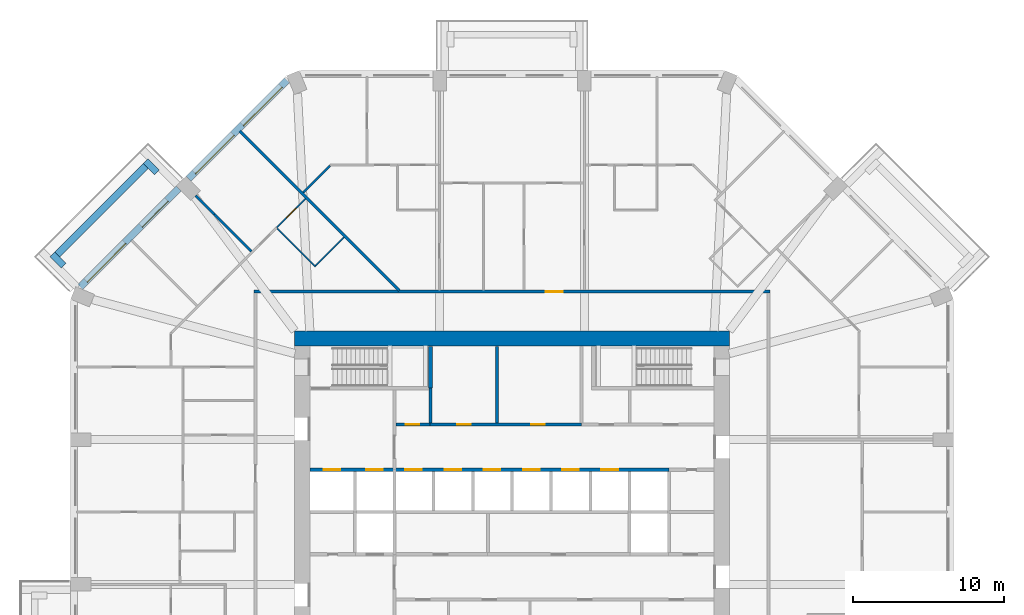
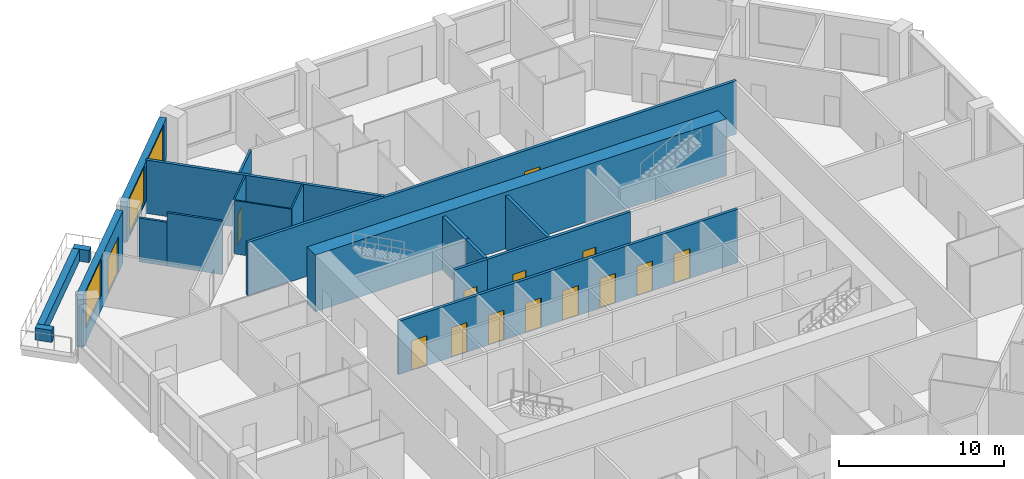
# One storey, part 8 of 13: 20 walls, 14 doors, 3 windows, 17 openings.
"""IFC4 building model written with IfcOpenShell, lengths in metres."""

from ifc_helpers import new_model, si_unit, direction, frame, frame_2d, origin, place, context, subcontext, project, spatial, rectangle, extrude, material, layer, layer_set, type_object, element, fill, save


model = new_model("IFC4")

# Units and contexts
model_context = context("Model", 3, precision=1e-05, world=origin(), true_north=direction((0.0, 1.0)))
body_context = subcontext(model_context, "Body", "Model", "MODEL_VIEW")
ifc_project = project(units=[si_unit("LENGTHUNIT", "METRE"), si_unit("AREAUNIT", "SQUARE_METRE"), si_unit("VOLUMEUNIT", "CUBIC_METRE"), si_unit("PLANEANGLEUNIT", "RADIAN"), si_unit("MASSUNIT", "GRAM", prefix="KILO")], contexts=[model_context])

# Site, building, storey
site_placement = place(None, origin())
site = spatial("IfcSite", under=ifc_project, at=site_placement, CompositionType="ELEMENT")
building_placement = place(site_placement, origin())
building = spatial("IfcBuilding", under=site, at=building_placement, Name="Msitu Wima Residences", CompositionType="ELEMENT")
storey_placement = place(building_placement, frame((0.0, 0.0, 88.5)))
storey = spatial("IfcBuildingStorey", under=building, at=storey_placement, Name="L20", CompositionType="ELEMENT", Elevation=88.5)

# Walls
ifc_material_1 = material(Name="Facing brick")
ifc_layer_1 = layer(ifc_material_1, 0.06494140625, Name="Facing brick")
ifc_material_2 = material(Name="Concrete C40/50", Category="concrete")
ifc_layer_2 = layer(ifc_material_2, 0.156005859375, Name="Concrete C40/50")
ifc_material_3 = material(Name="Waterproofing membrane")
ifc_layer_3 = layer(ifc_material_3, 0.00390625, Name="Waterproofing membrane")
ifc_material_4 = material(Name="Planting soil and planting")
ifc_layer_4 = layer(ifc_material_4, 0.22509765625, Name="Planting soil and planting")
ifc_layer_set_1 = layer_set([ifc_layer_1, ifc_layer_2, ifc_layer_3, ifc_layer_4], Name="Concrete C40/50")
wall_type_1 = type_object("IfcWallType", Name="Balcony planter PLANTER PL450", PredefinedType="USERDEFINED", material=ifc_layer_set_1)
wall_1_placement = place(storey_placement, frame((-24.269287109375, 22.92578125, 0.0), z_axis=(0.0, 0.0, 1.0), x_axis=(-0.707106781187, -0.707106781187, 0.0)))
element("IfcWall", 1, at=wall_1_placement, inside=storey, type_object=wall_type_1, Name="Balcony planter NW1 L20", ObjectType="PLANTER", PredefinedType="USERDEFINED", context=body_context, shape_type="SweptSolid", body=[
    extrude(rectangle(XDim=8.2822265625, YDim=0.449951171875, at=frame_2d((4.14111328125, 0.0))), origin(), (0.0, 0.0, 1.0), 0.89990234375),
])
for number, where, z_axis, x_axis, name in (
    (2, (-23.52685546875, 22.50146484375, 0.0), (0.0, 0.0, 1.0), (-0.706990528533, 0.707223014731, 0.0), "Balcony planter NW1 L20"),
    (3, (-29.70166015625, 16.326904296875, 0.0), (0.0, 0.0, 1.0), (-0.707106781187, 0.707106781187, 0.0), "Balcony planter NW1 L20"),
):
    element("IfcWall", number, at=place(storey_placement, frame(where, z_axis=z_axis, x_axis=x_axis)), inside=storey, type_object=wall_type_1, Name=name, ObjectType="PLANTER", PredefinedType="USERDEFINED", context=body_context, shape_type="SweptSolid", body=[
        extrude(rectangle(XDim=1.050048828125, YDim=0.449951171875, at=frame_2d((0.52490234375, 0.0))), origin(), (0.0, 0.0, 1.0), 0.89990234375),
    ])

# Wall, openings, windows
ifc_material_5 = material(Name="Brick (red buff mix)", Category="masonry")
ifc_layer_5 = layer(ifc_material_5, 0.449951171875)
ifc_layer_set_2 = layer_set([ifc_layer_5], Name="Brick (red buff mix)")
wall_type_2 = type_object("IfcWallType", Name="Brick infill wall BW450", PredefinedType="SOLIDWALL", material=ifc_layer_set_2)
wall_2_placement = place(storey_placement, frame((-14.903564453125, 28.61474609375, 0.89990234375), z_axis=(0.0, 0.0, 1.0), x_axis=(-0.707106781187, -0.707106781187, 0.0)))
wall_2 = element("IfcWall", 4, at=wall_2_placement, inside=storey, type_object=wall_type_2, Name="Brick infill wall L20 NW0", PredefinedType="SOLIDWALL", context=body_context, shape_type="SweptSolid", body=[
    extrude(rectangle(XDim=9.2451171875, YDim=0.449951171875, at=frame_2d((4.62255859375, 0.0))), origin(), (0.0, 0.0, 1.0), 3.0),
])
opening_1_placement = place(wall_2_placement, frame((0.572509765625, 0.0, 0.14990234375)))
opening_1 = element("IfcOpeningElement", 5, at=opening_1_placement, cuts=wall_2, Name="Opening W18-20.014", PredefinedType="OPENING", context=body_context, shape_type="SweptSolid", body=[
    extrude(rectangle(XDim=3.60009765625, YDim=2.699951171875, at=frame_2d((1.800048828125, 1.35009765625))), frame((0.0, 0.23486328125, 0.0), z_axis=(0.0, -1.0, 0.0), x_axis=(1.0, 0.0, 0.0)), (0.0, 0.0, 1.0), 0.469970703125),
])
opening_2_placement = place(wall_2_placement, frame((5.072509765625, 0.0, 0.14990234375)))
opening_2 = element("IfcOpeningElement", 6, at=opening_2_placement, cuts=wall_2, Name="Opening W18-20.015", PredefinedType="OPENING", context=body_context, shape_type="SweptSolid", body=[
    extrude(rectangle(XDim=3.60009765625, YDim=2.699951171875, at=frame_2d((1.800048828125, 1.35009765625))), frame((0.0, 0.23486328125, 0.0), z_axis=(0.0, -1.0, 0.0), x_axis=(1.0, 0.0, 0.0)), (0.0, 0.0, 1.0), 0.469970703125),
])
ifc_material_6 = material(Name="Anodised aluminium, bronze finish, clear low-emissivity double glazing", Category="aluminium")
window_type = type_object("IfcWindowType", Name="Window W3600x2700", PartitioningType="DOUBLE_PANEL_VERTICAL", PredefinedType="WINDOW", material=ifc_material_6)
window_1_placement = place(opening_1_placement, origin())
window_1 = element("IfcWindow", 7, at=window_1_placement, inside=storey, type_object=window_type, Name="Window L20 NW0.1", OverallHeight=2.699951171875, OverallWidth=3.60009765625, PartitioningType="SINGLE_PANEL", PredefinedType="WINDOW", context=body_context, shape_type="SweptSolid", body=[
    extrude(rectangle(XDim=3.60009765625, YDim=2.699951171875, at=frame_2d((1.800048828125, 1.35009765625))), frame((0.0, 0.135009765625, 0.0), z_axis=(0.0, -1.0, 0.0), x_axis=(1.0, 0.0, 0.0)), (0.0, 0.0, 1.0), 0.06005859375),
])
fill(opening_1, window_1)
window_2_placement = place(opening_2_placement, origin())
window_2 = element("IfcWindow", 8, at=window_2_placement, inside=storey, type_object=window_type, Name="Window L20 NW0.2", OverallHeight=2.699951171875, OverallWidth=3.60009765625, PartitioningType="SINGLE_PANEL", PredefinedType="WINDOW", context=body_context, shape_type="SweptSolid", body=[
    extrude(rectangle(XDim=3.60009765625, YDim=2.699951171875, at=frame_2d((1.800048828125, 1.35009765625))), frame((0.0, 0.135009765625, 0.0), z_axis=(0.0, -1.0, 0.0), x_axis=(1.0, 0.0, 0.0)), (0.0, 0.0, 1.0), 0.06005859375),
])
fill(opening_2, window_2)

# Wall, openings, door, window
wall_3_placement = place(storey_placement, frame((-22.077392578125, 21.44091796875, 0.0), z_axis=(0.0, 0.0, 1.0), x_axis=(-0.707106781187, -0.707106781187, 0.0)))
wall_3 = element("IfcWall", 9, at=wall_3_placement, inside=storey, type_object=wall_type_2, Name="Brick infill wall L20 NW1", PredefinedType="SOLIDWALL", context=body_context, shape_type="SweptSolid", body=[
    extrude(rectangle(XDim=9.2451171875, YDim=0.449951171875, at=frame_2d((4.62255859375, 0.0))), origin(), (0.0, 0.0, 1.0), 3.89990234375),
])
opening_3_placement = place(wall_3_placement, frame((1.111328125, 0.0, 0.0)))
opening_3 = element("IfcOpeningElement", 10, at=opening_3_placement, cuts=wall_3, Name="Opening D18-20.004", PredefinedType="OPENING", context=body_context, shape_type="SweptSolid", body=[
    extrude(rectangle(XDim=2.39990234375, YDim=2.699951171875, at=frame_2d((1.199951171875, 1.35009765625))), frame((0.0, 0.23486328125, 0.0), z_axis=(0.0, -1.0, 0.0), x_axis=(1.0, 0.0, 0.0)), (0.0, 0.0, 1.0), 0.469970703125),
])
opening_4_placement = place(wall_3_placement, frame((5.072509765625, 0.0, 1.050048828125)))
opening_4 = element("IfcOpeningElement", 11, at=opening_4_placement, cuts=wall_3, Name="Opening W18-20.016", PredefinedType="OPENING", context=body_context, shape_type="SweptSolid", body=[
    extrude(rectangle(XDim=3.60009765625, YDim=2.699951171875, at=frame_2d((1.800048828125, 1.35009765625))), frame((0.0, 0.23486328125, 0.0), z_axis=(0.0, -1.0, 0.0), x_axis=(1.0, 0.0, 0.0)), (0.0, 0.0, 1.0), 0.469970703125),
])
door_type_1 = type_object("IfcDoorType", Name="Balcony door D2400x2700", OperationType="SLIDING_TO_LEFT", PredefinedType="DOOR", material=ifc_material_6)
door_1_placement = place(opening_3_placement, origin())
door_1 = element("IfcDoor", 12, at=door_1_placement, inside=storey, type_object=door_type_1, Name="Balcony door L20 NW1", OperationType="SINGLE_SWING_LEFT", OverallHeight=2.699951171875, OverallWidth=2.39990234375, PredefinedType="DOOR", context=body_context, shape_type="SweptSolid", body=[
    extrude(rectangle(XDim=2.39990234375, YDim=2.699951171875, at=frame_2d((1.199951171875, 1.35009765625))), frame((0.0, 0.1298828125, 0.0), z_axis=(0.0, -1.0, 0.0), x_axis=(1.0, 0.0, 0.0)), (0.0, 0.0, 1.0), 0.050048828125),
])
fill(opening_3, door_1)
window_3_placement = place(opening_4_placement, origin())
window_3 = element("IfcWindow", 13, at=window_3_placement, inside=storey, type_object=window_type, Name="Window L20 NW1.2", OverallHeight=2.699951171875, OverallWidth=3.60009765625, PartitioningType="SINGLE_PANEL", PredefinedType="WINDOW", context=body_context, shape_type="SweptSolid", body=[
    extrude(rectangle(XDim=3.60009765625, YDim=2.699951171875, at=frame_2d((1.800048828125, 1.35009765625))), frame((0.0, 0.135009765625, 0.0), z_axis=(0.0, -1.0, 0.0), x_axis=(1.0, 0.0, 0.0)), (0.0, 0.0, 1.0), 0.06005859375),
])
fill(opening_4, window_3)

# Wall
ifc_material_7 = material(Name="Concrete C80/95", Category="concrete")
ifc_layer_6 = layer(ifc_material_7, 1.0)
ifc_layer_set_3 = layer_set([ifc_layer_6], Name="Concrete C80/95")
wall_type_3 = type_object("IfcWallType", Name="Core wall CW1000 C80/95", PredefinedType="SHEAR", material=ifc_layer_set_3)
wall_4_placement = place(storey_placement, frame((-14.39990234375, 11.5, 0.0), z_axis=(0.0, 0.0, 1.0), x_axis=(1.0, 0.0, 0.0)))
element("IfcWall", 14, at=wall_4_placement, inside=storey, type_object=wall_type_3, Name="Core wall", PredefinedType="SHEAR", context=body_context, shape_type="SweptSolid", body=[
    extrude(rectangle(XDim=28.7998046875, YDim=1.0, at=frame_2d((14.39990234375, 0.0))), origin(), (0.0, 0.0, 1.0), 4.199951171875),
])

# Wall, opening, door
ifc_material_8 = material(Name="Plaster")
ifc_layer_7 = layer(ifc_material_8, 0.011962890625, Name="Plaster")
ifc_material_9 = material(Name="Concrete blockwork", Category="masonry")
ifc_layer_8 = layer(ifc_material_9, 0.176025390625, Name="Concrete blockwork")
ifc_layer_9 = layer(ifc_material_8, 0.011962890625, Name="Plaster")
ifc_layer_set_4 = layer_set([ifc_layer_7, ifc_layer_8, ifc_layer_9], Name="Concrete blockwork")
wall_type_4 = type_object("IfcWallType", Name="Corridor wall FW200", PredefinedType="PARTITIONING", material=ifc_layer_set_4)
wall_5_placement = place(storey_placement, frame((-17.10009765625, 14.60009765625, 0.0), z_axis=(0.0, 0.0, 1.0), x_axis=(1.0, 0.0, 0.0)))
wall_5 = element("IfcWall", 15, at=wall_5_placement, inside=storey, type_object=wall_type_4, Name="Corridor wall", PredefinedType="PARTITIONING", context=body_context, shape_type="SweptSolid", body=[
    extrude(rectangle(XDim=34.2001953125, YDim=0.199951171875, at=frame_2d((17.10009765625, 0.0))), origin(), (0.0, 0.0, 1.0), 3.949951171875),
])
opening_5_placement = place(wall_5_placement, frame((19.35009765625, 0.0, 0.0)))
opening_5 = element("IfcOpeningElement", 16, at=opening_5_placement, cuts=wall_5, Name="Opening D18-20.008", PredefinedType="OPENING", context=body_context, shape_type="SweptSolid", body=[
    extrude(rectangle(XDim=1.10009765625, YDim=2.39990234375, at=frame_2d((0.550048828125, 1.199951171875))), frame((0.0, 0.10986328125, 0.0), z_axis=(0.0, -1.0, 0.0), x_axis=(1.0, 0.0, 0.0)), (0.0, 0.0, 1.0), 0.219970703125),
])
ifc_material_10 = material(Name="Timber flush door, fire resisting, self-closing", Category="wood")
door_type_2 = type_object("IfcDoorType", Name="Flat entrance door D01 1100x2400", OperationType="SINGLE_SWING_LEFT", PredefinedType="DOOR", material=ifc_material_10)
door_2_placement = place(opening_5_placement, origin())
door_2 = element("IfcDoor", 17, at=door_2_placement, inside=storey, type_object=door_type_2, Name="Flat entrance door", OperationType="SINGLE_SWING_RIGHT", OverallHeight=2.39990234375, OverallWidth=1.10009765625, PredefinedType="DOOR", context=body_context, shape_type="SweptSolid", body=[
    extrude(rectangle(XDim=1.10009765625, YDim=2.39990234375, at=frame_2d((0.550048828125, 1.199951171875))), frame((0.0, 0.02490234375, 0.0), z_axis=(0.0, -1.0, 0.0), x_axis=(1.0, 0.0, 0.0)), (0.0, 0.0, 1.0), 0.050048828125),
])
fill(opening_5, door_2)

wall_6_placement = place(storey_placement, frame((-7.699951171875, 5.800048828125, 0.0), z_axis=(0.0, 0.0, 1.0), x_axis=(1.0, 0.0, 0.0)))
wall_6 = element("IfcWall", 18, at=wall_6_placement, inside=storey, type_object=wall_type_4, Name="Corridor wall", PredefinedType="PARTITIONING", context=body_context, shape_type="SweptSolid", body=[
    extrude(rectangle(XDim=2.280029296875, YDim=0.199951171875, at=frame_2d((1.14013671875, 0.0))), origin(), (0.0, 0.0, 1.0), 3.949951171875),
])
opening_6_placement = place(wall_6_placement, frame((0.64990234375, 0.0, 0.0)))
opening_6 = element("IfcOpeningElement", 19, at=opening_6_placement, cuts=wall_6, Name="Opening D18-20.016", PredefinedType="OPENING", context=body_context, shape_type="SweptSolid", body=[
    extrude(rectangle(XDim=0.89990234375, YDim=2.199951171875, at=frame_2d((0.449951171875, 1.10009765625))), frame((0.0, 0.10986328125, 0.0), z_axis=(0.0, -1.0, 0.0), x_axis=(1.0, 0.0, 0.0)), (0.0, 0.0, 1.0), 0.219970703125),
])
ifc_material_11 = material(Name="Timber flush door", Category="wood")
door_type_3 = type_object("IfcDoorType", Name="Service door D05 900x2200", OperationType="SINGLE_SWING_LEFT", PredefinedType="DOOR", material=ifc_material_11)
door_3_placement = place(opening_6_placement, origin())
door_3 = element("IfcDoor", 20, at=door_3_placement, inside=storey, type_object=door_type_3, Name="Service door", OperationType="SINGLE_SWING_LEFT", OverallHeight=2.199951171875, OverallWidth=0.89990234375, PredefinedType="DOOR", context=body_context, shape_type="SweptSolid", body=[
    extrude(rectangle(XDim=0.89990234375, YDim=2.199951171875, at=frame_2d((0.449951171875, 1.10009765625))), frame((0.0, 0.02490234375, 0.0), z_axis=(0.0, -1.0, 0.0), x_axis=(1.0, 0.0, 0.0)), (0.0, 0.0, 1.0), 0.050048828125),
])
fill(opening_6, door_3)

# Walls
ifc_layer_10 = layer(ifc_material_8, 0.011962890625, Name="Plaster")
ifc_layer_11 = layer(ifc_material_9, 0.1259765625, Name="Concrete blockwork")
ifc_layer_12 = layer(ifc_material_8, 0.011962890625, Name="Plaster")
ifc_layer_set_5 = layer_set([ifc_layer_10, ifc_layer_11, ifc_layer_12], Name="Concrete blockwork")
wall_type_5 = type_object("IfcWallType", Name="Partition PW150", PredefinedType="PARTITIONING", material=ifc_layer_set_5)
wall_7_placement = place(storey_placement, frame((-20.963623046875, 20.963623046875, 0.0), z_axis=(0.0, 0.0, 1.0), x_axis=(0.707106781187, -0.707106781187, 0.0)))
element("IfcWall", 21, at=wall_7_placement, inside=storey, type_object=wall_type_5, Name="Partition", PredefinedType="PARTITIONING", context=body_context, shape_type="SweptSolid", body=[
    extrude(rectangle(XDim=1.74853515625, YDim=0.14990234375, at=frame_2d((0.874267578125, 0.0))), origin(), (0.0, 0.0, 1.0), 3.25),
])
wall_8_placement = place(storey_placement, frame((-19.727294921875, 19.727294921875, 0.0), z_axis=(0.0, 0.0, 1.0), x_axis=(0.707106781187, -0.707106781187, 0.0)))
element("IfcWall", 22, at=wall_8_placement, inside=storey, type_object=wall_type_5, Name="Partition", PredefinedType="PARTITIONING", context=body_context, shape_type="SweptSolid", body=[
    extrude(rectangle(XDim=3.4765625, YDim=0.14990234375, at=frame_2d((1.73828125, 0.0))), origin(), (0.0, 0.0, 1.0), 3.949951171875),
])
wall_9_placement = place(storey_placement, frame((-13.828125, 21.16943359375, 0.0), z_axis=(0.0, 0.0, 1.0), x_axis=(0.707106781187, 0.707106781187, 0.0)))
element("IfcWall", 23, at=wall_9_placement, inside=storey, type_object=wall_type_5, Name="Partition", PredefinedType="PARTITIONING", context=body_context, shape_type="SweptSolid", body=[
    extrude(rectangle(XDim=2.513916015625, YDim=0.14990234375, at=frame_2d((1.2568359375, 0.0))), origin(), (0.0, 0.0, 1.0), 3.949951171875),
])
ifc_layer_13 = layer(ifc_material_8, 0.011962890625, Name="Plaster")
ifc_material_12 = material(Name="Dense concrete blockwork", Category="masonry")
ifc_layer_14 = layer(ifc_material_12, 0.176025390625, Name="Dense concrete blockwork")
ifc_layer_15 = layer(ifc_material_8, 0.011962890625, Name="Plaster")
ifc_layer_set_6 = layer_set([ifc_layer_13, ifc_layer_14, ifc_layer_15], Name="Dense concrete blockwork")
wall_type_6 = type_object("IfcWallType", Name="Party wall PW200", PredefinedType="PARTITIONING", material=ifc_layer_set_6)
wall_10_placement = place(storey_placement, frame((-18.038818359375, 25.23876953125, 0.0), z_axis=(0.0, 0.0, 1.0), x_axis=(0.707106781187, -0.707106781187, 0.0)))
element("IfcWall", 24, at=wall_10_placement, inside=storey, type_object=wall_type_6, Name="Party wall", PredefinedType="PARTITIONING", context=body_context, shape_type="SweptSolid", body=[
    extrude(rectangle(XDim=14.945556640625, YDim=0.199951171875, at=frame_2d((7.47265625, 0.0))), origin(), (0.0, 0.0, 1.0), 3.949951171875),
])

# Wall, openings, doors
ifc_layer_16 = layer(ifc_material_8, 0.011962890625, Name="Plaster")
ifc_material_13 = material(Name="Reinforced concrete blockwork", Category="masonry")
ifc_layer_17 = layer(ifc_material_13, 0.176025390625, Name="Reinforced concrete blockwork")
ifc_layer_18 = layer(ifc_material_8, 0.011962890625, Name="Plaster")
ifc_layer_set_7 = layer_set([ifc_layer_16, ifc_layer_17, ifc_layer_18], Name="Reinforced concrete blockwork")
wall_type_7 = type_object("IfcWallType", Name="Plant and riser wall PL200", PredefinedType="PARTITIONING", material=ifc_layer_set_7)
wall_11_placement = place(storey_placement, frame((-5.419921875, 5.800048828125, 0.0), z_axis=(0.0, 0.0, 1.0), x_axis=(1.0, 0.0, 0.0)))
wall_11 = element("IfcWall", 25, at=wall_11_placement, inside=storey, type_object=wall_type_7, Name="Plant and riser wall", PredefinedType="PARTITIONING", context=body_context, shape_type="SweptSolid", body=[
    extrude(rectangle(XDim=10.0400390625, YDim=0.199951171875, at=frame_2d((5.02001953125, 0.0))), origin(), (0.0, 0.0, 1.0), 3.949951171875),
])
opening_7_placement = place(wall_11_placement, frame((1.800048828125, 0.0, 0.0)))
opening_7 = element("IfcOpeningElement", 26, at=opening_7_placement, cuts=wall_11, Name="Opening D18-20.017", PredefinedType="OPENING", context=body_context, shape_type="SweptSolid", body=[
    extrude(rectangle(XDim=0.89990234375, YDim=2.199951171875, at=frame_2d((0.449951171875, 1.10009765625))), frame((0.0, 0.10986328125, 0.0), z_axis=(0.0, -1.0, 0.0), x_axis=(1.0, 0.0, 0.0)), (0.0, 0.0, 1.0), 0.219970703125),
])
opening_8_placement = place(wall_11_placement, frame((6.699951171875, 0.0, 0.0)))
opening_8 = element("IfcOpeningElement", 27, at=opening_8_placement, cuts=wall_11, Name="Opening D18-20.018", PredefinedType="OPENING", context=body_context, shape_type="SweptSolid", body=[
    extrude(rectangle(XDim=0.89990234375, YDim=2.199951171875, at=frame_2d((0.449951171875, 1.10009765625))), frame((0.0, 0.10986328125, 0.0), z_axis=(0.0, -1.0, 0.0), x_axis=(1.0, 0.0, 0.0)), (0.0, 0.0, 1.0), 0.219970703125),
])
door_4_placement = place(opening_7_placement, origin())
door_4 = element("IfcDoor", 28, at=door_4_placement, inside=storey, type_object=door_type_3, Name="Service door", OperationType="SINGLE_SWING_RIGHT", OverallHeight=2.199951171875, OverallWidth=0.89990234375, PredefinedType="DOOR", context=body_context, shape_type="SweptSolid", body=[
    extrude(rectangle(XDim=0.89990234375, YDim=2.199951171875, at=frame_2d((0.449951171875, 1.10009765625))), frame((0.0, 0.02490234375, 0.0), z_axis=(0.0, -1.0, 0.0), x_axis=(1.0, 0.0, 0.0)), (0.0, 0.0, 1.0), 0.050048828125),
])
fill(opening_7, door_4)
door_5_placement = place(opening_8_placement, origin())
door_5 = element("IfcDoor", 29, at=door_5_placement, inside=storey, type_object=door_type_3, Name="Service door", OperationType="SINGLE_SWING_LEFT", OverallHeight=2.199951171875, OverallWidth=0.89990234375, PredefinedType="DOOR", context=body_context, shape_type="SweptSolid", body=[
    extrude(rectangle(XDim=0.89990234375, YDim=2.199951171875, at=frame_2d((0.449951171875, 1.10009765625))), frame((0.0, 0.02490234375, 0.0), z_axis=(0.0, -1.0, 0.0), x_axis=(1.0, 0.0, 0.0)), (0.0, 0.0, 1.0), 0.050048828125),
])
fill(opening_8, door_5)

# Walls
wall_12_placement = place(storey_placement, frame((-5.39990234375, 5.89990234375, 0.0), z_axis=(0.0, 0.0, 1.0), x_axis=(0.0, 1.0, 0.0)))
element("IfcWall", 30, at=wall_12_placement, inside=storey, type_object=wall_type_7, Name="Plant and riser wall", PredefinedType="PARTITIONING", context=body_context, shape_type="SweptSolid", body=[
    extrude(rectangle(XDim=2.300048828125, YDim=0.199951171875, at=frame_2d((1.14990234375, 0.0))), origin(), (0.0, 0.0, 1.0), 3.949951171875),
])
wall_13_placement = place(storey_placement, frame((-1.0, 5.89990234375, 0.0), z_axis=(0.0, 0.0, 1.0), x_axis=(0.0, 1.0, 0.0)))
element("IfcWall", 31, at=wall_13_placement, inside=storey, type_object=wall_type_7, Name="Plant and riser wall", PredefinedType="PARTITIONING", context=body_context, shape_type="SweptSolid", body=[
    extrude(rectangle(XDim=5.070068359375, YDim=0.199951171875, at=frame_2d((2.53515625, 0.0))), origin(), (0.0, 0.0, 1.0), 3.949951171875),
])

# Wall, openings, doors
ifc_material_14 = material(Name="Fire-rated board")
ifc_layer_19 = layer(ifc_material_14, 0.02490234375, Name="Fire-rated board")
ifc_material_15 = material(Name="Light-gauge stud framing with mineral wool")
ifc_layer_20 = layer(ifc_material_15, 0.14990234375, Name="Light-gauge stud framing with mineral wool")
ifc_layer_21 = layer(ifc_material_14, 0.02490234375, Name="Fire-rated board")
ifc_layer_set_8 = layer_set([ifc_layer_19, ifc_layer_20, ifc_layer_21], Name="Light-gauge stud framing with mineral wool")
wall_type_8 = type_object("IfcWallType", Name="Shaft wall SH200", PredefinedType="PARTITIONING", material=ifc_layer_set_8)
wall_14_placement = place(storey_placement, frame((-13.3701171875, 2.800048828125, 0.0), z_axis=(0.0, 0.0, 1.0), x_axis=(1.0, 0.0, 0.0)))
wall_14 = element("IfcWall", 32, at=wall_14_placement, inside=storey, type_object=wall_type_8, Name="Shaft wall", PredefinedType="PARTITIONING", context=body_context, shape_type="SweptSolid", body=[
    extrude(rectangle(XDim=23.77001953125, YDim=0.199951171875, at=frame_2d((11.885009765625, 0.0))), origin(), (0.0, 0.0, 1.0), 3.949951171875),
])
opening_9_placement = place(wall_14_placement, frame((0.89990234375, 0.0, 0.0)))
opening_9 = element("IfcOpeningElement", 33, at=opening_9_placement, cuts=wall_14, Name="Opening LD", PredefinedType="OPENING", context=body_context, shape_type="SweptSolid", body=[
    extrude(rectangle(XDim=1.10009765625, YDim=2.199951171875, at=frame_2d((0.550048828125, 1.10009765625))), frame((0.0, 0.10986328125, 0.0), z_axis=(0.0, -1.0, 0.0), x_axis=(1.0, 0.0, 0.0)), (0.0, 0.0, 1.0), 0.219970703125),
])
opening_10_placement = place(wall_14_placement, frame((3.699951171875, 0.0, 0.0)))
opening_10 = element("IfcOpeningElement", 34, at=opening_10_placement, cuts=wall_14, Name="Opening LD", PredefinedType="OPENING", context=body_context, shape_type="SweptSolid", body=[
    extrude(rectangle(XDim=1.10009765625, YDim=2.199951171875, at=frame_2d((0.550048828125, 1.10009765625))), frame((0.0, 0.10986328125, 0.0), z_axis=(0.0, -1.0, 0.0), x_axis=(1.0, 0.0, 0.0)), (0.0, 0.0, 1.0), 0.219970703125),
])
opening_11_placement = place(wall_14_placement, frame((6.300048828125, 0.0, 0.0)))
opening_11 = element("IfcOpeningElement", 35, at=opening_11_placement, cuts=wall_14, Name="Opening LD", PredefinedType="OPENING", context=body_context, shape_type="SweptSolid", body=[
    extrude(rectangle(XDim=1.10009765625, YDim=2.199951171875, at=frame_2d((0.550048828125, 1.10009765625))), frame((0.0, 0.10986328125, 0.0), z_axis=(0.0, -1.0, 0.0), x_axis=(1.0, 0.0, 0.0)), (0.0, 0.0, 1.0), 0.219970703125),
])
opening_12_placement = place(wall_14_placement, frame((8.89990234375, 0.0, 0.0)))
opening_12 = element("IfcOpeningElement", 36, at=opening_12_placement, cuts=wall_14, Name="Opening LD", PredefinedType="OPENING", context=body_context, shape_type="SweptSolid", body=[
    extrude(rectangle(XDim=1.10009765625, YDim=2.199951171875, at=frame_2d((0.550048828125, 1.10009765625))), frame((0.0, 0.10986328125, 0.0), z_axis=(0.0, -1.0, 0.0), x_axis=(1.0, 0.0, 0.0)), (0.0, 0.0, 1.0), 0.219970703125),
])
opening_13_placement = place(wall_14_placement, frame((11.5, 0.0, 0.0)))
opening_13 = element("IfcOpeningElement", 37, at=opening_13_placement, cuts=wall_14, Name="Opening LD", PredefinedType="OPENING", context=body_context, shape_type="SweptSolid", body=[
    extrude(rectangle(XDim=1.10009765625, YDim=2.199951171875, at=frame_2d((0.550048828125, 1.10009765625))), frame((0.0, 0.10986328125, 0.0), z_axis=(0.0, -1.0, 0.0), x_axis=(1.0, 0.0, 0.0)), (0.0, 0.0, 1.0), 0.219970703125),
])
opening_14_placement = place(wall_14_placement, frame((14.10009765625, 0.0, 0.0)))
opening_14 = element("IfcOpeningElement", 38, at=opening_14_placement, cuts=wall_14, Name="Opening LD", PredefinedType="OPENING", context=body_context, shape_type="SweptSolid", body=[
    extrude(rectangle(XDim=1.10009765625, YDim=2.199951171875, at=frame_2d((0.550048828125, 1.10009765625))), frame((0.0, 0.10986328125, 0.0), z_axis=(0.0, -1.0, 0.0), x_axis=(1.0, 0.0, 0.0)), (0.0, 0.0, 1.0), 0.219970703125),
])
opening_15_placement = place(wall_14_placement, frame((16.699951171875, 0.0, 0.0)))
opening_15 = element("IfcOpeningElement", 39, at=opening_15_placement, cuts=wall_14, Name="Opening LD", PredefinedType="OPENING", context=body_context, shape_type="SweptSolid", body=[
    extrude(rectangle(XDim=1.10009765625, YDim=2.199951171875, at=frame_2d((0.550048828125, 1.10009765625))), frame((0.0, 0.10986328125, 0.0), z_axis=(0.0, -1.0, 0.0), x_axis=(1.0, 0.0, 0.0)), (0.0, 0.0, 1.0), 0.219970703125),
])
opening_16_placement = place(wall_14_placement, frame((19.300048828125, 0.0, 0.0)))
opening_16 = element("IfcOpeningElement", 40, at=opening_16_placement, cuts=wall_14, Name="Opening LD", PredefinedType="OPENING", context=body_context, shape_type="SweptSolid", body=[
    extrude(rectangle(XDim=1.10009765625, YDim=2.199951171875, at=frame_2d((0.550048828125, 1.10009765625))), frame((0.0, 0.10986328125, 0.0), z_axis=(0.0, -1.0, 0.0), x_axis=(1.0, 0.0, 0.0)), (0.0, 0.0, 1.0), 0.219970703125),
])
ifc_material_16 = material(Name="Stainless steel centre-opening landing door, rated", Category="steel")
door_type_4 = type_object("IfcDoorType", Name="Lift landing door LD 1100x2200", OperationType="DOUBLE_DOOR_SLIDING", PredefinedType="DOOR", material=ifc_material_16)
door_6_placement = place(opening_9_placement, origin())
door_6 = element("IfcDoor", 41, at=door_6_placement, inside=storey, type_object=door_type_4, Name="Lift landing door LD1", OperationType="DOUBLE_DOOR_SLIDING", OverallHeight=2.199951171875, OverallWidth=1.10009765625, PredefinedType="DOOR", context=body_context, shape_type="SweptSolid", body=[
    extrude(rectangle(XDim=1.10009765625, YDim=2.199951171875, at=frame_2d((0.550048828125, 1.10009765625))), frame((0.0, 0.02490234375, 0.0), z_axis=(0.0, -1.0, 0.0), x_axis=(1.0, 0.0, 0.0)), (0.0, 0.0, 1.0), 0.050048828125),
])
fill(opening_9, door_6)
door_7_placement = place(opening_10_placement, origin())
door_7 = element("IfcDoor", 42, at=door_7_placement, inside=storey, type_object=door_type_4, Name="Lift landing door LD2", OperationType="DOUBLE_DOOR_SLIDING", OverallHeight=2.199951171875, OverallWidth=1.10009765625, PredefinedType="DOOR", context=body_context, shape_type="SweptSolid", body=[
    extrude(rectangle(XDim=1.10009765625, YDim=2.199951171875, at=frame_2d((0.550048828125, 1.10009765625))), frame((0.0, 0.02490234375, 0.0), z_axis=(0.0, -1.0, 0.0), x_axis=(1.0, 0.0, 0.0)), (0.0, 0.0, 1.0), 0.050048828125),
])
fill(opening_10, door_7)
door_8_placement = place(opening_11_placement, origin())
door_8 = element("IfcDoor", 43, at=door_8_placement, inside=storey, type_object=door_type_4, Name="Lift landing door LD4", OperationType="DOUBLE_DOOR_SLIDING", OverallHeight=2.199951171875, OverallWidth=1.10009765625, PredefinedType="DOOR", context=body_context, shape_type="SweptSolid", body=[
    extrude(rectangle(XDim=1.10009765625, YDim=2.199951171875, at=frame_2d((0.550048828125, 1.10009765625))), frame((0.0, 0.02490234375, 0.0), z_axis=(0.0, -1.0, 0.0), x_axis=(1.0, 0.0, 0.0)), (0.0, 0.0, 1.0), 0.050048828125),
])
fill(opening_11, door_8)
door_9_placement = place(opening_12_placement, origin())
door_9 = element("IfcDoor", 44, at=door_9_placement, inside=storey, type_object=door_type_4, Name="Lift landing door LD6", OperationType="DOUBLE_DOOR_SLIDING", OverallHeight=2.199951171875, OverallWidth=1.10009765625, PredefinedType="DOOR", context=body_context, shape_type="SweptSolid", body=[
    extrude(rectangle(XDim=1.10009765625, YDim=2.199951171875, at=frame_2d((0.550048828125, 1.10009765625))), frame((0.0, 0.02490234375, 0.0), z_axis=(0.0, -1.0, 0.0), x_axis=(1.0, 0.0, 0.0)), (0.0, 0.0, 1.0), 0.050048828125),
])
fill(opening_12, door_9)
door_10_placement = place(opening_13_placement, origin())
door_10 = element("IfcDoor", 45, at=door_10_placement, inside=storey, type_object=door_type_4, Name="Lift landing door LD8", OperationType="DOUBLE_DOOR_SLIDING", OverallHeight=2.199951171875, OverallWidth=1.10009765625, PredefinedType="DOOR", context=body_context, shape_type="SweptSolid", body=[
    extrude(rectangle(XDim=1.10009765625, YDim=2.199951171875, at=frame_2d((0.550048828125, 1.10009765625))), frame((0.0, 0.02490234375, 0.0), z_axis=(0.0, -1.0, 0.0), x_axis=(1.0, 0.0, 0.0)), (0.0, 0.0, 1.0), 0.050048828125),
])
fill(opening_13, door_10)
door_11_placement = place(opening_14_placement, origin())
door_11 = element("IfcDoor", 46, at=door_11_placement, inside=storey, type_object=door_type_4, Name="Lift landing door LD10", OperationType="DOUBLE_DOOR_SLIDING", OverallHeight=2.199951171875, OverallWidth=1.10009765625, PredefinedType="DOOR", context=body_context, shape_type="SweptSolid", body=[
    extrude(rectangle(XDim=1.10009765625, YDim=2.199951171875, at=frame_2d((0.550048828125, 1.10009765625))), frame((0.0, 0.02490234375, 0.0), z_axis=(0.0, -1.0, 0.0), x_axis=(1.0, 0.0, 0.0)), (0.0, 0.0, 1.0), 0.050048828125),
])
fill(opening_14, door_11)
door_12_placement = place(opening_15_placement, origin())
door_12 = element("IfcDoor", 47, at=door_12_placement, inside=storey, type_object=door_type_4, Name="Lift landing door LD12", OperationType="DOUBLE_DOOR_SLIDING", OverallHeight=2.199951171875, OverallWidth=1.10009765625, PredefinedType="DOOR", context=body_context, shape_type="SweptSolid", body=[
    extrude(rectangle(XDim=1.10009765625, YDim=2.199951171875, at=frame_2d((0.550048828125, 1.10009765625))), frame((0.0, 0.02490234375, 0.0), z_axis=(0.0, -1.0, 0.0), x_axis=(1.0, 0.0, 0.0)), (0.0, 0.0, 1.0), 0.050048828125),
])
fill(opening_15, door_12)
door_13_placement = place(opening_16_placement, origin())
door_13 = element("IfcDoor", 48, at=door_13_placement, inside=storey, type_object=door_type_4, Name="Lift landing door LD14", OperationType="DOUBLE_DOOR_SLIDING", OverallHeight=2.199951171875, OverallWidth=1.10009765625, PredefinedType="DOOR", context=body_context, shape_type="SweptSolid", body=[
    extrude(rectangle(XDim=1.10009765625, YDim=2.199951171875, at=frame_2d((0.550048828125, 1.10009765625))), frame((0.0, 0.02490234375, 0.0), z_axis=(0.0, -1.0, 0.0), x_axis=(1.0, 0.0, 0.0)), (0.0, 0.0, 1.0), 0.050048828125),
])
fill(opening_16, door_13)

# Wall
ifc_material_17 = material(Name="Concrete C50/60", Category="concrete")
ifc_layer_22 = layer(ifc_material_17, 0.25)
ifc_layer_set_9 = layer_set([ifc_layer_22], Name="Concrete C50/60")
wall_type_9 = type_object("IfcWallType", Name="Stair enclosure wall SW250", PredefinedType="SHEAR", material=ifc_layer_set_9)
wall_15_placement = place(storey_placement, frame((-5.39990234375, 8.199951171875, 0.0), z_axis=(0.0, 0.0, 1.0), x_axis=(0.0, 1.0, 0.0)))
element("IfcWall", 49, at=wall_15_placement, inside=storey, type_object=wall_type_9, Name="Stair enclosure wall", PredefinedType="SHEAR", context=body_context, shape_type="SweptSolid", body=[
    extrude(rectangle(XDim=2.77001953125, YDim=0.25, at=frame_2d((1.385009765625, 0.0))), origin(), (0.0, 0.0, 1.0), 3.949951171875),
])

# Wall, opening, door
ifc_material_18 = material(Name="Ceramic tiles")
ifc_layer_23 = layer(ifc_material_18, 0.008056640625, Name="Ceramic tiles")
ifc_material_19 = material(Name="Moisture-resistant board")
ifc_layer_24 = layer(ifc_material_19, 0.012451171875, Name="Moisture-resistant board")
ifc_layer_25 = layer(ifc_material_15, 0.06689453125, Name="Light-gauge stud framing with mineral wool")
ifc_layer_26 = layer(ifc_material_19, 0.012451171875, Name="Moisture-resistant board")
ifc_layer_set_10 = layer_set([ifc_layer_23, ifc_layer_24, ifc_layer_25, ifc_layer_26], Name="Light-gauge stud framing with mineral wool")
wall_type_10 = type_object("IfcWallType", Name="Wet wall PW100", PredefinedType="PARTITIONING", material=ifc_layer_set_10)
wall_16_placement = place(storey_placement, frame((-15.581787109375, 18.85009765625, 0.0), z_axis=(0.0, 0.0, 1.0), x_axis=(0.707106781187, 0.707106781187, 0.0)))
wall_16 = element("IfcWall", 50, at=wall_16_placement, inside=storey, type_object=wall_type_10, Name="Wet wall", PredefinedType="PARTITIONING", context=body_context, shape_type="SweptSolid", body=[
    extrude(rectangle(XDim=2.679931640625, YDim=0.10009765625, at=frame_2d((1.33984375, 0.0))), origin(), (0.0, 0.0, 1.0), 3.949951171875),
])
opening_17_placement = place(wall_16_placement, frame((0.89990234375, 0.0, 0.0)))
opening_17 = element("IfcOpeningElement", 51, at=opening_17_placement, cuts=wall_16, Name="Opening D18-20.052", PredefinedType="OPENING", context=body_context, shape_type="SweptSolid", body=[
    extrude(rectangle(XDim=0.89990234375, YDim=2.199951171875, at=frame_2d((0.449951171875, 1.10009765625))), frame((0.0, 0.06005859375, 0.0), z_axis=(0.0, -1.0, 0.0), x_axis=(1.0, 0.0, 0.0)), (0.0, 0.0, 1.0), 0.1201171875),
])
ifc_material_20 = material(Name="Timber flush door, moisture resistant", Category="wood")
door_type_5 = type_object("IfcDoorType", Name="Bathroom door D03 900x2200", OperationType="SINGLE_SWING_LEFT", PredefinedType="DOOR", material=ifc_material_20)
door_14_placement = place(opening_17_placement, origin())
door_14 = element("IfcDoor", 52, at=door_14_placement, inside=storey, type_object=door_type_5, Name="Bathroom door", OperationType="SINGLE_SWING_RIGHT", OverallHeight=2.199951171875, OverallWidth=0.89990234375, PredefinedType="DOOR", context=body_context, shape_type="SweptSolid", body=[
    extrude(rectangle(XDim=0.89990234375, YDim=2.199951171875, at=frame_2d((0.449951171875, 1.10009765625))), frame((0.0, 0.02490234375, 0.0), z_axis=(0.0, -1.0, 0.0), x_axis=(1.0, 0.0, 0.0)), (0.0, 0.0, 1.0), 0.050048828125),
])
fill(opening_17, door_14)

# Walls
wall_17_placement = place(storey_placement, frame((-15.542724609375, 18.782958984375, 0.0), z_axis=(0.0, 0.0, 1.0), x_axis=(0.707106781187, -0.707106781187, 0.0)))
element("IfcWall", 53, at=wall_17_placement, inside=storey, type_object=wall_type_10, Name="Wet wall", PredefinedType="PARTITIONING", context=body_context, shape_type="SweptSolid", body=[
    extrude(rectangle(XDim=3.574951171875, YDim=0.10009765625, at=frame_2d((1.78759765625, 0.0))), origin(), (0.0, 0.0, 1.0), 3.949951171875),
])
wall_18_placement = place(storey_placement, frame((-13.014892578125, 16.325927734375, 0.0), z_axis=(0.0, 0.0, 1.0), x_axis=(0.707106781187, 0.707106781187, 0.0)))
element("IfcWall", 54, at=wall_18_placement, inside=storey, type_object=wall_type_10, Name="Wet wall", PredefinedType="PARTITIONING", context=body_context, shape_type="SweptSolid", body=[
    extrude(rectangle(XDim=2.64990234375, YDim=0.10009765625, at=frame_2d((1.324951171875, 0.0))), origin(), (0.0, 0.0, 1.0), 3.949951171875),
])

save(model, "model.ifc")
